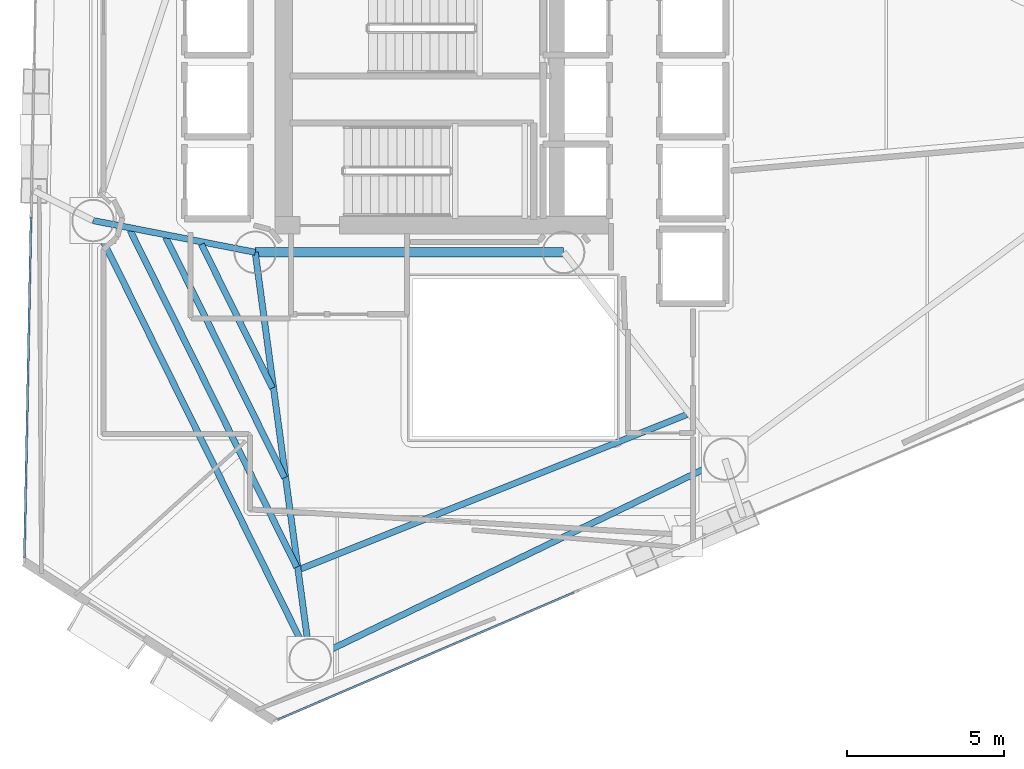
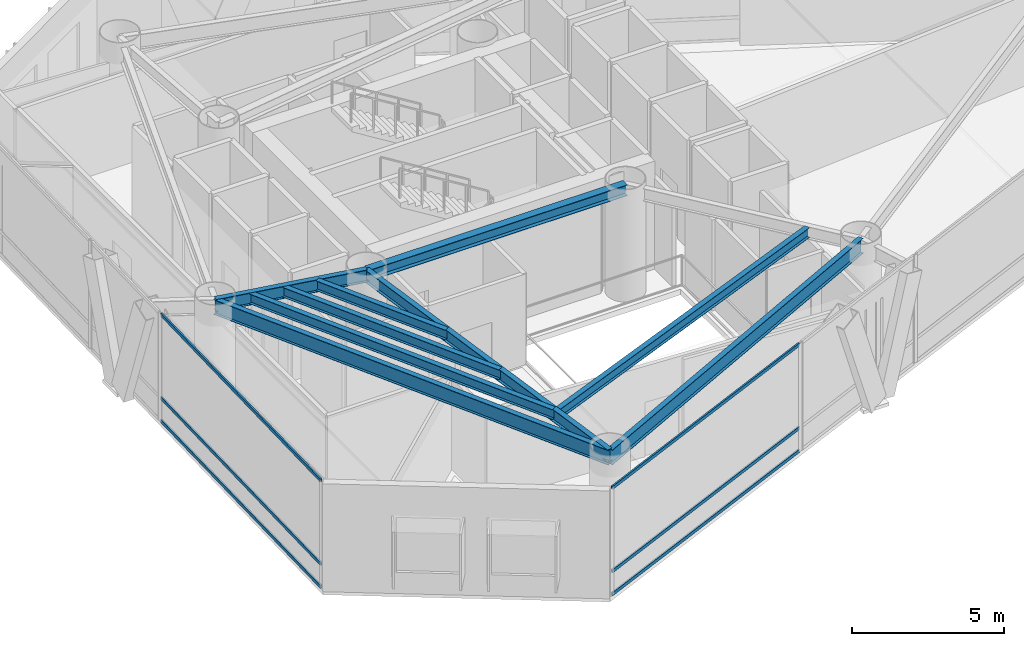
# One storey, part 3 of 21: 9 beams, 6 members, 2 elements without a shape of their own.
"""IFC4 building model written with IfcOpenShell, lengths in metres."""

from ifc_helpers import new_model, si_unit, direction, frame, origin, origin_2d, place, context, subcontext, project, spatial, hollow_rectangle, i_section, extrude, material, layer, layer_set, material_profile, profile_set, type_object, element, aggregate, save


model = new_model("IFC4")

# Units and contexts
model_context = context("Model", 3, precision=1e-05, world=origin(), true_north=direction((0.0, 1.0)))
body_context = subcontext(model_context, "Body", "Model", "MODEL_VIEW")
ifc_project = project(units=[si_unit("LENGTHUNIT", "METRE"), si_unit("AREAUNIT", "SQUARE_METRE"), si_unit("VOLUMEUNIT", "CUBIC_METRE"), si_unit("PLANEANGLEUNIT", "RADIAN"), si_unit("MASSUNIT", "GRAM", prefix="KILO")], contexts=[model_context])

# Site, building, storey
site_placement = place(None, origin())
site = spatial("IfcSite", under=ifc_project, at=site_placement, CompositionType="ELEMENT")
building_placement = place(site_placement, origin())
building = spatial("IfcBuilding", under=site, at=building_placement, Name="Qianvela Tower", CompositionType="ELEMENT")
storey_placement = place(building_placement, frame((0.0, 0.0, 143.10009765625)))
storey = spatial("IfcBuildingStorey", under=building, at=storey_placement, Name="L36", CompositionType="ELEMENT", Elevation=143.10009765625)

# Beams
ifc_material_1 = material(Name="Steel Q355B", Category="steel")
ifc_material_profile_1 = material_profile(ifc_material_1, i_section(OverallWidth=0.300048828125, OverallDepth=0.43994140625, WebThickness=0.010986328125, FlangeThickness=0.01806640625, at=origin_2d()), Name="HM440x300x11x18")
ifc_profile_set_1 = profile_set([ifc_material_profile_1], Name="Steel Q355B")
beam_type_1 = type_object("IfcBeamType", Name="BM-HM440-COLL", PredefinedType="BEAM", material=ifc_profile_set_1)
beam_1_placement = place(storey_placement, frame((28.60009765625, 23.85009765625, 4.097900390625), z_axis=(1.0, 0.0, 0.0), x_axis=(0.0, 1.0, 0.0)))
element("IfcBeam", 1, at=beam_1_placement, inside=storey, type_object=beam_type_1, Name="L36 Core Ring Collector Girder CC1", PredefinedType="BEAM", context=body_context, shape_type="SweptSolid", body=[
    extrude(i_section(OverallWidth=0.300048828125, OverallDepth=0.43994140625, WebThickness=0.010986328125, FlangeThickness=0.01806640625, at=origin_2d()), origin(), (0.0, 0.0, 1.0), 9.7998046875),
])
ifc_material_2 = material(Name="Steel Q355B", Category="steel")
ifc_material_profile_2 = material_profile(ifc_material_2, i_section(OverallWidth=0.199951171875, OverallDepth=0.39990234375, WebThickness=0.008056640625, FlangeThickness=0.012939453125, at=origin_2d()), Name="HN400x200x8x13")
ifc_profile_set_2 = profile_set([ifc_material_profile_2], Name="Steel Q355B")
beam_type_2 = type_object("IfcBeamType", Name="BM-HN400-JOIST", PredefinedType="JOIST", material=ifc_profile_set_2)
beam_2_placement = place(storey_placement, frame((26.89013671875, 24.10693359375, 4.117919921875), z_axis=(0.443417880161, -0.896315002415, 0.0), x_axis=(0.896315002415, 0.443417880161, 0.0)))
element("IfcBeam", 2, at=beam_2_placement, inside=storey, type_object=beam_type_2, Name="L36 Secondary Composite Floor Joist 4.1", PredefinedType="JOIST", context=body_context, shape_type="SweptSolid", body=[
    extrude(i_section(OverallWidth=0.199951171875, OverallDepth=0.39990234375, WebThickness=0.008056640625, FlangeThickness=0.012939453125, at=origin_2d()), origin(), (0.0, 0.0, 1.0), 5.099609375),
])
beam_3_placement = place(storey_placement, frame((25.75634765625, 24.3291015625, 4.117919921875), z_axis=(0.443417285282, -0.896315296708, 0.0), x_axis=(0.896315296708, 0.443417285282, 0.0)))
element("IfcBeam", 3, at=beam_3_placement, inside=storey, type_object=beam_type_2, Name="L36 Secondary Composite Floor Joist 4.2", PredefinedType="JOIST", context=body_context, shape_type="SweptSolid", body=[
    extrude(i_section(OverallWidth=0.199951171875, OverallDepth=0.39990234375, WebThickness=0.008056640625, FlangeThickness=0.012939453125, at=origin_2d()), origin(), (0.0, 0.0, 1.0), 8.523681640625),
])
beam_4_placement = place(storey_placement, frame((24.622314453125, 24.551025390625, 4.117919921875), z_axis=(0.443417031377, -0.896315422318, 0.0), x_axis=(0.896315422318, 0.443417031377, 0.0)))
element("IfcBeam", 4, at=beam_4_placement, inside=storey, type_object=beam_type_2, Name="L36 Secondary Composite Floor Joist 4.3", PredefinedType="JOIST", context=body_context, shape_type="SweptSolid", body=[
    extrude(i_section(OverallWidth=0.199951171875, OverallDepth=0.39990234375, WebThickness=0.008056640625, FlangeThickness=0.012939453125, at=origin_2d()), origin(), (0.0, 0.0, 1.0), 11.94775390625),
])
beam_5_placement = place(storey_placement, frame((30.0517578125, 13.79150390625, 4.117919921875), z_axis=(0.928611849806, 0.371052600584, 0.0), x_axis=(-0.371052600584, 0.928611849806, 0.0)))
element("IfcBeam", 5, at=beam_5_placement, inside=storey, type_object=beam_type_2, Name="L36 Secondary Composite Floor Joist 5.3", PredefinedType="JOIST", context=body_context, shape_type="SweptSolid", body=[
    extrude(i_section(OverallWidth=0.199951171875, OverallDepth=0.39990234375, WebThickness=0.008056640625, FlangeThickness=0.012939453125, at=origin_2d()), origin(), (0.0, 0.0, 1.0), 13.19873046875),
])
ifc_material_3 = material(Name="Steel Q355B", Category="steel")
ifc_material_profile_3 = material_profile(ifc_material_3, i_section(OverallWidth=0.199951171875, OverallDepth=0.5, WebThickness=0.010009765625, FlangeThickness=0.01611328125, at=origin_2d()), Name="HN500x200x10x16")
ifc_profile_set_3 = profile_set([ifc_material_profile_3], Name="Steel Q355B")
beam_type_3 = type_object("IfcBeamType", Name="BM-HN500-GIRD", PredefinedType="BEAM", material=ifc_profile_set_3)
beam_6_placement = place(storey_placement, frame((28.60009765625, 23.85009765625, 4.06787109375), z_axis=(-0.98137875074, 0.192082658238, 0.0), x_axis=(-0.192082658238, -0.98137875074, 0.0)))
element("IfcBeam", 6, at=beam_6_placement, inside=storey, type_object=beam_type_3, Name="L36 Radial Primary Floor Girder 4", PredefinedType="BEAM", context=body_context, shape_type="SweptSolid", body=[
    extrude(i_section(OverallWidth=0.199951171875, OverallDepth=0.5, WebThickness=0.010009765625, FlangeThickness=0.01611328125, at=origin_2d()), origin(), (0.0, 0.0, 1.0), 5.251953125),
])
beam_7_placement = place(storey_placement, frame((28.60009765625, 23.85009765625, 4.06787109375), z_axis=(0.133769024854, -0.991012536747, 0.0), x_axis=(0.991012536747, 0.133769024854, 0.0)))
element("IfcBeam", 7, at=beam_7_placement, inside=storey, type_object=beam_type_3, Name="L36 Radial Primary Floor Girder 5", PredefinedType="BEAM", context=body_context, shape_type="SweptSolid", body=[
    extrude(i_section(OverallWidth=0.199951171875, OverallDepth=0.5, WebThickness=0.010009765625, FlangeThickness=0.01611328125, at=origin_2d()), origin(), (0.0, 0.0, 1.0), 13.05859375),
])
ifc_material_4 = material(Name="Steel Q355B", Category="steel")
ifc_material_profile_4 = material_profile(ifc_material_4, i_section(OverallWidth=0.199951171875, OverallDepth=0.60009765625, WebThickness=0.010986328125, FlangeThickness=0.01708984375, at=origin_2d()), Name="HN600x200x11x17")
ifc_profile_set_4 = profile_set([ifc_material_profile_4], Name="Steel Q355B")
beam_type_4 = type_object("IfcBeamType", Name="BM-HN600-GIRD", PredefinedType="BEAM", material=ifc_profile_set_4)
beam_8_placement = place(storey_placement, frame((23.446044921875, 24.85888671875, 4.017822265625), z_axis=(0.443400805375, -0.896323449315, 0.0), x_axis=(0.896323449315, 0.443400805375, 0.0)))
element("IfcBeam", 8, at=beam_8_placement, inside=storey, type_object=beam_type_4, Name="L36 Perimeter Ring Spandrel Girder 4", PredefinedType="BEAM", context=body_context, shape_type="SweptSolid", body=[
    extrude(i_section(OverallWidth=0.199951171875, OverallDepth=0.60009765625, WebThickness=0.010986328125, FlangeThickness=0.01708984375, at=origin_2d()), origin(), (0.0, 0.0, 1.0), 15.5634765625),
])
beam_9_placement = place(storey_placement, frame((30.346923828125, 10.908935546875, 4.017822265625), z_axis=(0.900328583727, 0.435210801019, 0.0), x_axis=(-0.435210801019, 0.900328583727, 0.0)))
element("IfcBeam", 9, at=beam_9_placement, inside=storey, type_object=beam_type_4, Name="L36 Perimeter Ring Spandrel Girder 5", PredefinedType="BEAM", context=body_context, shape_type="SweptSolid", body=[
    extrude(i_section(OverallWidth=0.199951171875, OverallDepth=0.60009765625, WebThickness=0.010986328125, FlangeThickness=0.01708984375, at=origin_2d()), origin(), (0.0, 0.0, 1.0), 14.636962890625),
])

# Curtain wall, members
ifc_material_5 = material(Name="Anodised Architectural Aluminium and Low-E Glass", Category="aluminium")
ifc_layer = layer(ifc_material_5, 0.18994140625)
ifc_layer_set = layer_set([ifc_layer], Name="Anodised Architectural Aluminium and Low-E Glass")
curtain_wall_type = type_object("IfcCurtainWallType", Name="CW-SKYLOBBY", PredefinedType="USERDEFINED", material=ifc_layer_set)
curtain_wall_1_placement = place(storey_placement, origin())
curtain_wall_1 = element("IfcCurtainWall", 10, at=curtain_wall_1_placement, inside=storey, type_object=curtain_wall_type, Name="L36 CW-SKYLOBBY Curtain Wall 04C", ObjectType="CURTAIN_WALL_SYSTEM", PredefinedType="USERDEFINED")
ifc_material_6 = material(Name="Anodised Architectural Aluminium 6063-T6", Category="aluminium")
ifc_material_profile_5 = material_profile(ifc_material_6, hollow_rectangle(XDim=0.06494140625, YDim=0.1298828125, WallThickness=0.00439453125, at=origin_2d()), Name="ALU-TRAN-65x130")
ifc_profile_set_5 = profile_set([ifc_material_profile_5], Name="Anodised Architectural Aluminium 6063-T6")
member_type = type_object("IfcMemberType", Name="CW-SKYLOBBY-TRAN", PredefinedType="USERDEFINED", material=ifc_profile_set_5)
member_1_placement = place(storey_placement, frame((21.476318359375, 24.967041015625, 0.032470703125), z_axis=(-0.019530340494, -0.99980926471, 0.0), x_axis=(0.99980926471, -0.019530340494, 0.0)))
member_1 = element("IfcMember", 11, at=member_1_placement, type_object=member_type, Name="CW-7 transom 1.1", ObjectType="TRANSOM", PredefinedType="USERDEFINED", context=body_context, shape_type="SweptSolid", body=[
    extrude(hollow_rectangle(XDim=0.06494140625, YDim=0.1298828125, WallThickness=0.00439453125, at=origin_2d()), origin(), (0.0, 0.0, 1.0), 10.837890625),
])
member_2_placement = place(storey_placement, frame((21.476318359375, 24.967041015625, 0.949951171875), z_axis=(-0.019530340494, -0.99980926471, 0.0), x_axis=(0.99980926471, -0.019530340494, 0.0)))
member_2 = element("IfcMember", 12, at=member_2_placement, type_object=member_type, Name="CW-7 transom 1.2", ObjectType="TRANSOM", PredefinedType="USERDEFINED", context=body_context, shape_type="SweptSolid", body=[
    extrude(hollow_rectangle(XDim=0.06494140625, YDim=0.1298828125, WallThickness=0.00439453125, at=origin_2d()), origin(), (0.0, 0.0, 1.0), 10.837890625),
])
member_3_placement = place(storey_placement, frame((21.476318359375, 24.967041015625, 4.287353515625), z_axis=(-0.019530340494, -0.99980926471, 0.0), x_axis=(0.99980926471, -0.019530340494, 0.0)))
member_3 = element("IfcMember", 13, at=member_3_placement, type_object=member_type, Name="CW-7 transom 1.3", ObjectType="TRANSOM", PredefinedType="USERDEFINED", context=body_context, shape_type="SweptSolid", body=[
    extrude(hollow_rectangle(XDim=0.06494140625, YDim=0.1298828125, WallThickness=0.00439453125, at=origin_2d()), origin(), (0.0, 0.0, 1.0), 10.837890625),
])
aggregate(curtain_wall_1, [member_1, member_2, member_3])

curtain_wall_2_placement = place(storey_placement, origin())
curtain_wall_2 = element("IfcCurtainWall", 14, at=curtain_wall_2_placement, inside=storey, type_object=curtain_wall_type, Name="L36 CW-SKYLOBBY Curtain Wall 06A", ObjectType="CURTAIN_WALL_SYSTEM", PredefinedType="USERDEFINED")
member_4_placement = place(storey_placement, frame((29.31591796875, 8.996826171875, 0.032470703125), z_axis=(0.918911794691, 0.39446306998, 0.0), x_axis=(-0.39446306998, 0.918911794691, 0.0)))
member_4 = element("IfcMember", 15, at=member_4_placement, type_object=member_type, Name="CW-7 transom 1.1", ObjectType="TRANSOM", PredefinedType="USERDEFINED", context=body_context, shape_type="SweptSolid", body=[
    extrude(hollow_rectangle(XDim=0.06494140625, YDim=0.1298828125, WallThickness=0.00439453125, at=origin_2d()), origin(), (0.0, 0.0, 1.0), 10.239990234375),
])
member_5_placement = place(storey_placement, frame((29.31591796875, 8.996826171875, 0.949951171875), z_axis=(0.918911794691, 0.39446306998, 0.0), x_axis=(-0.39446306998, 0.918911794691, 0.0)))
member_5 = element("IfcMember", 16, at=member_5_placement, type_object=member_type, Name="CW-7 transom 1.2", ObjectType="TRANSOM", PredefinedType="USERDEFINED", context=body_context, shape_type="SweptSolid", body=[
    extrude(hollow_rectangle(XDim=0.06494140625, YDim=0.1298828125, WallThickness=0.00439453125, at=origin_2d()), origin(), (0.0, 0.0, 1.0), 10.239990234375),
])
member_6_placement = place(storey_placement, frame((29.31591796875, 8.996826171875, 4.287353515625), z_axis=(0.918911794691, 0.39446306998, 0.0), x_axis=(-0.39446306998, 0.918911794691, 0.0)))
member_6 = element("IfcMember", 17, at=member_6_placement, type_object=member_type, Name="CW-7 transom 1.3", ObjectType="TRANSOM", PredefinedType="USERDEFINED", context=body_context, shape_type="SweptSolid", body=[
    extrude(hollow_rectangle(XDim=0.06494140625, YDim=0.1298828125, WallThickness=0.00439453125, at=origin_2d()), origin(), (0.0, 0.0, 1.0), 10.239990234375),
])
aggregate(curtain_wall_2, [member_4, member_5, member_6])

save(model, "model.ifc")
